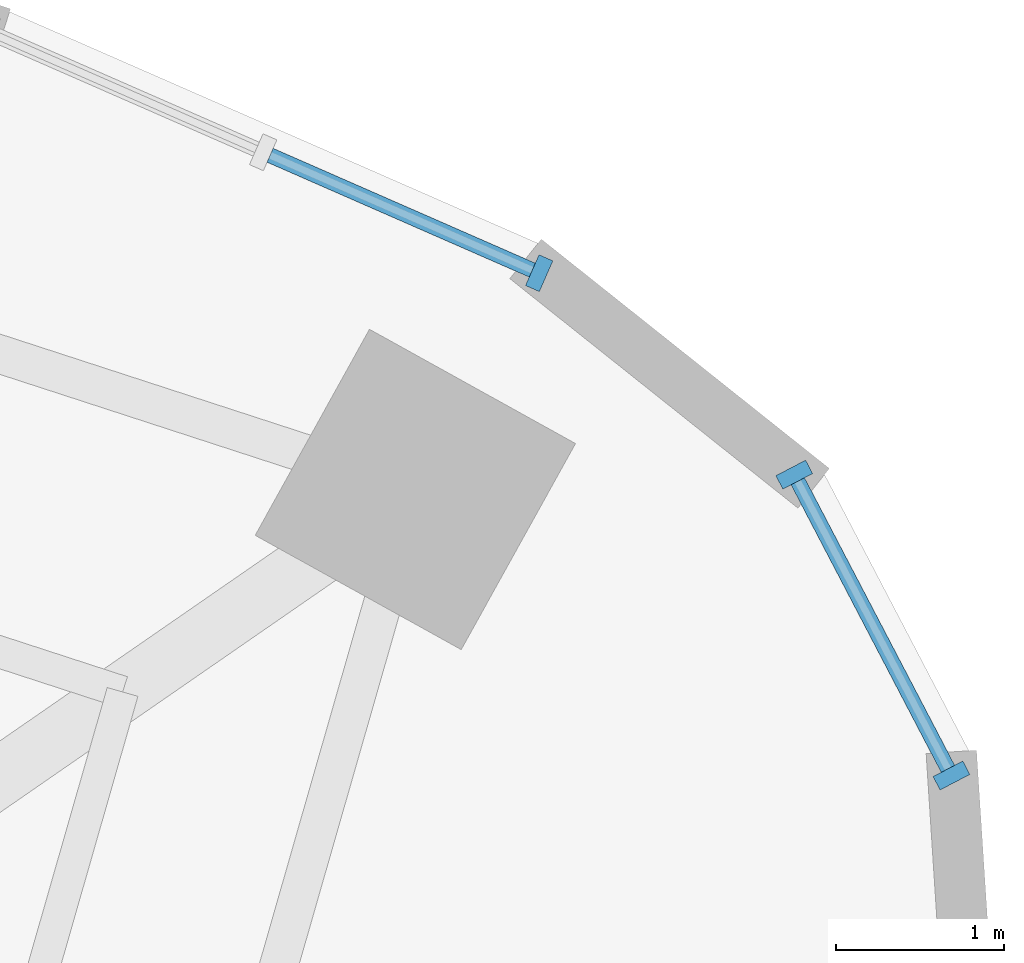
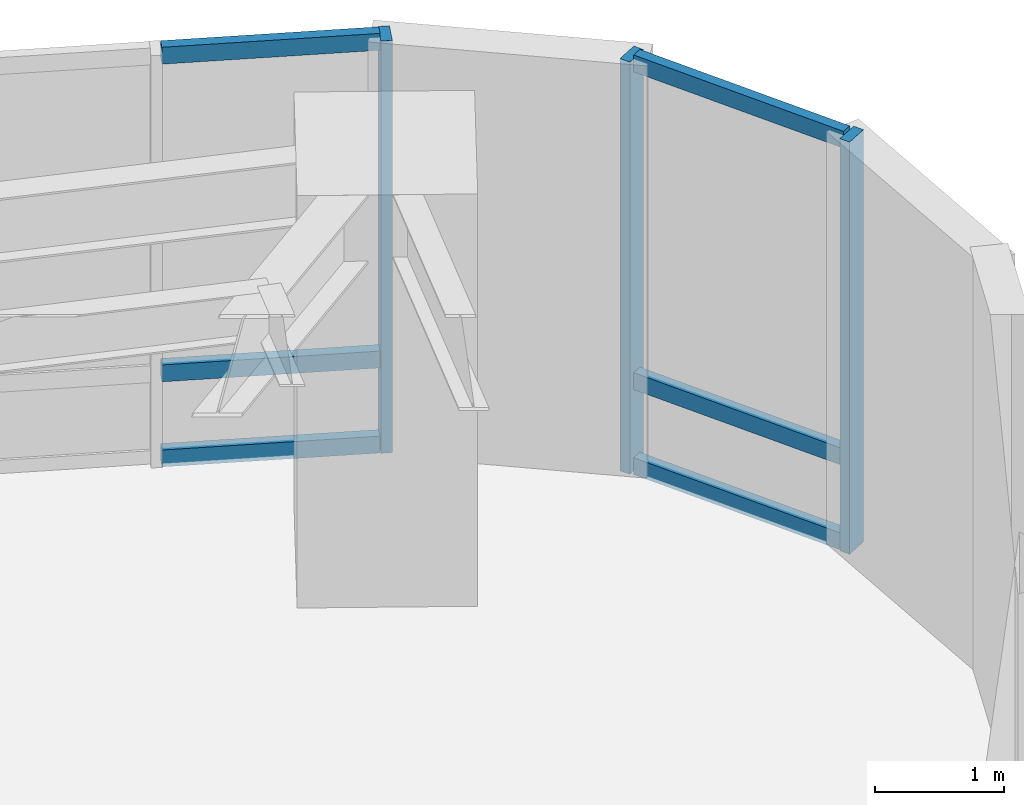
# One storey, part 6 of 13: 9 members, 2 elements without a shape of their own.
"""IFC4 building model written with IfcOpenShell, lengths in metres."""

from ifc_helpers import new_model, si_unit, direction, frame, origin, origin_2d, place, context, subcontext, project, spatial, rectangle, extrude, material, layer, layer_set, material_profile, profile_set, type_object, element, aggregate, save


model = new_model("IFC4")

# Units and contexts
model_context = context("Model", 3, precision=1e-05, world=origin(), true_north=direction((0.0, 1.0)))
body_context = subcontext(model_context, "Body", "Model", "MODEL_VIEW")
ifc_project = project(units=[si_unit("LENGTHUNIT", "METRE"), si_unit("AREAUNIT", "SQUARE_METRE"), si_unit("VOLUMEUNIT", "CUBIC_METRE"), si_unit("PLANEANGLEUNIT", "RADIAN"), si_unit("MASSUNIT", "GRAM", prefix="KILO")], contexts=[model_context])

# Site, building, storey
site_placement = place(None, origin())
site = spatial("IfcSite", under=ifc_project, at=site_placement, CompositionType="ELEMENT")
building_placement = place(site_placement, origin())
building = spatial("IfcBuilding", under=site, at=building_placement, Name="Korentha Bioscience Tower", CompositionType="ELEMENT")
storey_placement = place(building_placement, frame((0.0, 0.0, 67.800048828125)))
storey = spatial("IfcBuildingStorey", under=building, at=storey_placement, Name="L15", CompositionType="ELEMENT", Elevation=67.800048828125)

# Curtain wall, member
ifc_material_1 = material(Name="Thermally Broken Aluminium Frame", Category="aluminium")
ifc_layer = layer(ifc_material_1, 0.219970703125, Name="Thermally Broken Aluminium Frame")
ifc_layer_set = layer_set([ifc_layer], Name="Thermally Broken Aluminium Frame (CW-T1)")
curtain_wall_type = type_object("IfcCurtainWallType", Name="Standard Bioscience Lab Unitised Curtain Wall CW-T1", PredefinedType="USERDEFINED", material=ifc_layer_set)
curtain_wall_1_placement = place(storey_placement, origin())
curtain_wall_1 = element("IfcCurtainWall", 1, at=curtain_wall_1_placement, inside=storey, type_object=curtain_wall_type, Name="L15 Curtain Wall 01", ObjectType="UNITISED", PredefinedType="USERDEFINED")
ifc_material_2 = material(Name="Anodised Aluminium 6063-T6", Category="aluminium")
ifc_material_profile_1 = material_profile(ifc_material_2, rectangle(XDim=0.090087890625, YDim=0.199951171875, at=origin_2d()), Name="Anodised Aluminium 6063-T6")
ifc_profile_set_1 = profile_set([ifc_material_profile_1], Name="Anodised Aluminium 6063-T6 (CW-MUL)")
member_type_1 = type_object("IfcMemberType", Name="Mullion RECT 90x200", PredefinedType="MULLION", material=ifc_profile_set_1)
member_1_placement = place(storey_placement, frame((51.71337890625, 46.420654296875, 0.0), z_axis=(0.0, 0.0, 1.0), x_axis=(-0.91593909057, 0.401317308828, 0.0)))
member_1 = element("IfcMember", 2, at=member_1_placement, type_object=member_type_1, Name="CW-L15-01 Mullion 1", PredefinedType="MULLION", context=body_context, shape_type="SweptSolid", body=[
    extrude(rectangle(XDim=0.090087890625, YDim=0.199951171875, at=origin_2d()), origin(), (0.0, 0.0, 1.0), 3.89990234375),
])

# Curtain wall, members
curtain_wall_2_placement = place(storey_placement, origin())
curtain_wall_2 = element("IfcCurtainWall", 3, at=curtain_wall_2_placement, inside=storey, type_object=curtain_wall_type, Name="L15 Curtain Wall 61", ObjectType="UNITISED", PredefinedType="USERDEFINED")
member_2_placement = place(storey_placement, frame((54.163330078125, 43.435302734375, 0.0), z_axis=(0.0, 0.0, 1.0), x_axis=(-0.463008597697, 0.886353788539, 0.0)))
member_2 = element("IfcMember", 4, at=member_2_placement, type_object=member_type_1, Name="CW-L15-61 Mullion 1", PredefinedType="MULLION", context=body_context, shape_type="SweptSolid", body=[
    extrude(rectangle(XDim=0.090087890625, YDim=0.199951171875, at=origin_2d()), origin(), (0.0, 0.0, 1.0), 3.89990234375),
])
member_3_placement = place(storey_placement, frame((53.22900390625, 45.2236328125, 0.0), z_axis=(0.0, 0.0, 1.0), x_axis=(-0.463008597697, 0.886353788539, 0.0)))
member_3 = element("IfcMember", 5, at=member_3_placement, type_object=member_type_1, Name="CW-L15-61 Mullion 2", PredefinedType="MULLION", context=body_context, shape_type="SweptSolid", body=[
    extrude(rectangle(XDim=0.090087890625, YDim=0.199951171875, at=origin_2d()), origin(), (0.0, 0.0, 1.0), 3.89990234375),
])

# Member
ifc_material_profile_2 = material_profile(ifc_material_2, rectangle(XDim=0.090087890625, YDim=0.159912109375, at=origin_2d()), Name="Anodised Aluminium 6063-T6")
ifc_profile_set_2 = profile_set([ifc_material_profile_2], Name="Anodised Aluminium 6063-T6 (CW-TRN)")
member_type_2 = type_object("IfcMemberType", Name="Transom RECT 90x160", PredefinedType="USERDEFINED", material=ifc_profile_set_2)
member_4_placement = place(storey_placement, frame((51.67236328125, 46.438720703125, 0.044921875), z_axis=(-0.915976098914, 0.401232832926, 0.0), x_axis=(-0.401232832926, -0.915976098914, 0.0)))
member_4 = element("IfcMember", 6, at=member_4_placement, type_object=member_type_2, Name="CW-L15-01 Bay 1 Transom 1", ObjectType="TRANSOM", PredefinedType="USERDEFINED", context=body_context, shape_type="SweptSolid", body=[
    extrude(rectangle(XDim=0.090087890625, YDim=0.159912109375, at=origin_2d()), origin(), (0.0, 0.0, 1.0), 1.701416015625),
])

member_5_placement = place(storey_placement, frame((51.67236328125, 46.438720703125, 0.849853515625), z_axis=(-0.915976098914, 0.401232832926, 0.0), x_axis=(-0.401232832926, -0.915976098914, 0.0)))
member_5 = element("IfcMember", 7, at=member_5_placement, type_object=member_type_2, Name="CW-L15-01 Bay 1 Transom 2", ObjectType="TRANSOM", PredefinedType="USERDEFINED", context=body_context, shape_type="SweptSolid", body=[
    extrude(rectangle(XDim=0.090087890625, YDim=0.159912109375, at=origin_2d()), origin(), (0.0, 0.0, 1.0), 1.701416015625),
])

member_6_placement = place(storey_placement, frame((51.67236328125, 46.438720703125, 3.85498046875), z_axis=(-0.915976098914, 0.401232832926, 0.0), x_axis=(-0.401232832926, -0.915976098914, 0.0)))
member_6 = element("IfcMember", 8, at=member_6_placement, type_object=member_type_2, Name="CW-L15-01 Bay 1 Transom 3", ObjectType="TRANSOM", PredefinedType="USERDEFINED", context=body_context, shape_type="SweptSolid", body=[
    extrude(rectangle(XDim=0.090087890625, YDim=0.159912109375, at=origin_2d()), origin(), (0.0, 0.0, 1.0), 1.701416015625),
])

aggregate(curtain_wall_1, [member_1, member_4, member_5, member_6])

member_7_placement = place(storey_placement, frame((54.142333984375, 43.47509765625, 0.044921875), z_axis=(-0.462899248902, 0.886410900974, 0.0), x_axis=(-0.886410900974, -0.462899248902, 0.0)))
member_7 = element("IfcMember", 9, at=member_7_placement, type_object=member_type_2, Name="CW-L15-61 Bay 1 Transom 1", ObjectType="TRANSOM", PredefinedType="USERDEFINED", context=body_context, shape_type="SweptSolid", body=[
    extrude(rectangle(XDim=0.090087890625, YDim=0.159912109375, at=origin_2d()), origin(), (0.0, 0.0, 1.0), 1.927734375),
])

member_8_placement = place(storey_placement, frame((54.142333984375, 43.47509765625, 0.849853515625), z_axis=(-0.462899248902, 0.886410900974, 0.0), x_axis=(-0.886410900974, -0.462899248902, 0.0)))
member_8 = element("IfcMember", 10, at=member_8_placement, type_object=member_type_2, Name="CW-L15-61 Bay 1 Transom 2", ObjectType="TRANSOM", PredefinedType="USERDEFINED", context=body_context, shape_type="SweptSolid", body=[
    extrude(rectangle(XDim=0.090087890625, YDim=0.159912109375, at=origin_2d()), origin(), (0.0, 0.0, 1.0), 1.927734375),
])

member_9_placement = place(storey_placement, frame((54.142333984375, 43.47509765625, 3.85498046875), z_axis=(-0.462899248902, 0.886410900974, 0.0), x_axis=(-0.886410900974, -0.462899248902, 0.0)))
member_9 = element("IfcMember", 11, at=member_9_placement, type_object=member_type_2, Name="CW-L15-61 Bay 1 Transom 3", ObjectType="TRANSOM", PredefinedType="USERDEFINED", context=body_context, shape_type="SweptSolid", body=[
    extrude(rectangle(XDim=0.090087890625, YDim=0.159912109375, at=origin_2d()), origin(), (0.0, 0.0, 1.0), 1.927734375),
])

aggregate(curtain_wall_2, [member_2, member_3, member_7, member_8, member_9])

save(model, "model.ifc")
